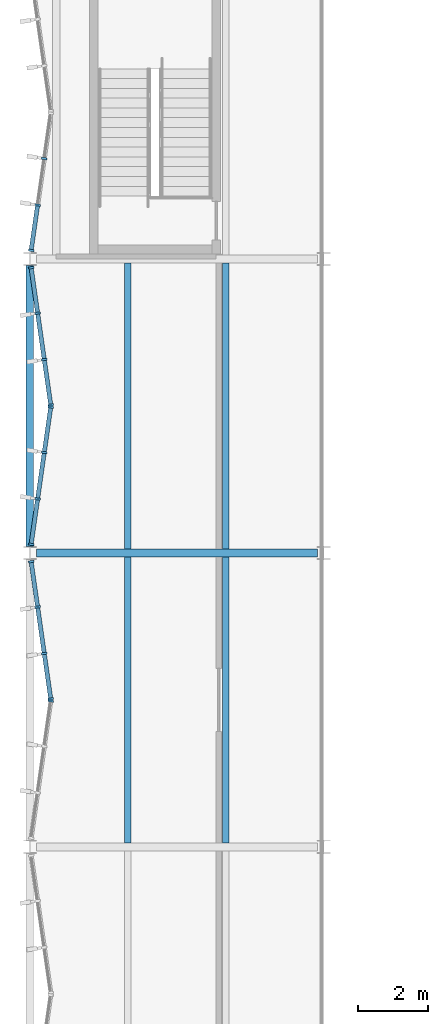
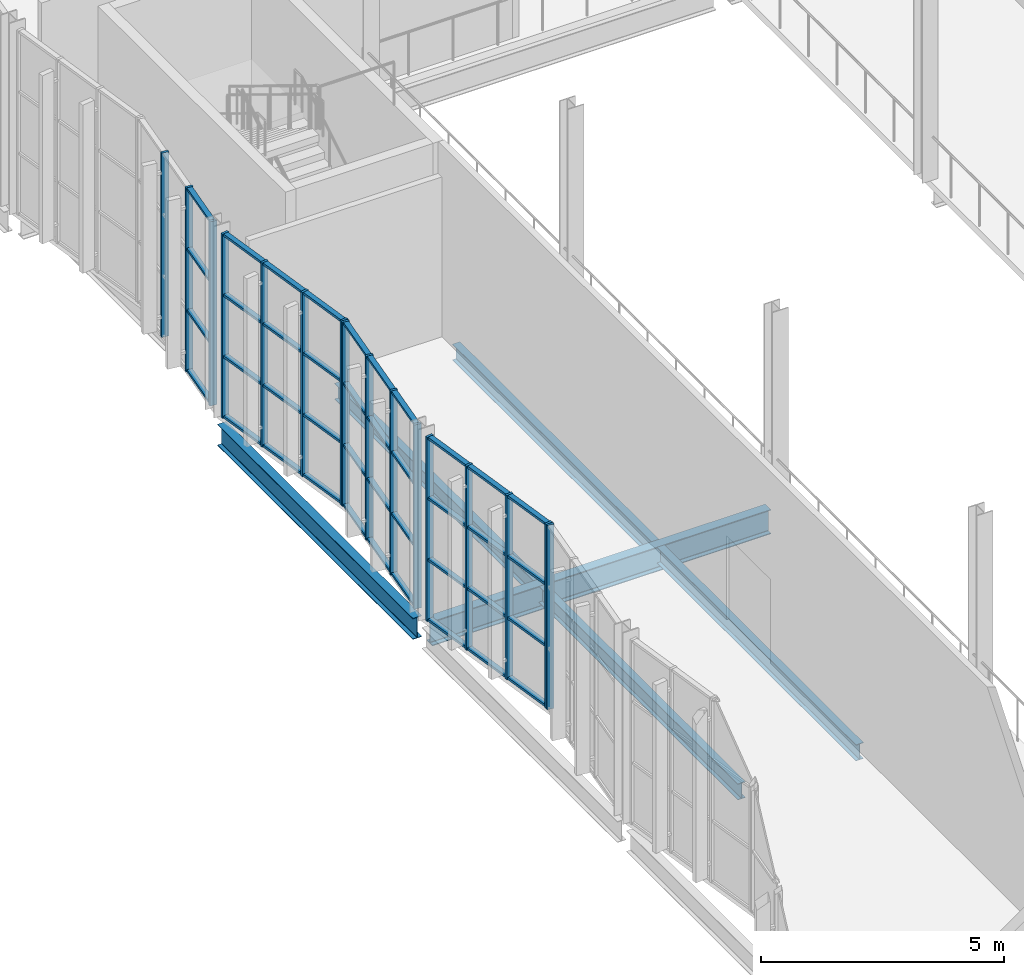
# One storey, part 32 of 127: 56 members, 6 beams, 5 elements without a shape of their own.
"""IFC4 building model written with IfcOpenShell, lengths in metres."""

from ifc_helpers import new_model, si_unit, direction, frame, origin, origin_2d, place, context, subcontext, project, spatial, rectangle, i_section, extrude, material, material_profile, profile_set, type_object, element, aggregate, save


model = new_model("IFC4")

# Units and contexts
model_context = context("Model", 3, precision=1e-05, world=origin(), true_north=direction((0.0, 1.0)))
body_context = subcontext(model_context, "Body", "Model", "MODEL_VIEW")
ifc_project = project(units=[si_unit("LENGTHUNIT", "METRE"), si_unit("AREAUNIT", "SQUARE_METRE"), si_unit("VOLUMEUNIT", "CUBIC_METRE"), si_unit("PLANEANGLEUNIT", "RADIAN"), si_unit("MASSUNIT", "GRAM", prefix="KILO")], contexts=[model_context])

# Site, building, storey
site_placement = place(None, origin())
site = spatial("IfcSite", under=ifc_project, at=site_placement, CompositionType="ELEMENT")
building_placement = place(site_placement, origin())
building = spatial("IfcBuilding", under=site, at=building_placement, Name="Ljudholm Concert House", CompositionType="ELEMENT")
storey_placement = place(building_placement, frame((0.0, 0.0, 5.39990234375)))
storey = spatial("IfcBuildingStorey", under=building, at=storey_placement, Name="L01", CompositionType="ELEMENT", Elevation=5.39990234375)

# Curtain wall, member
ifc_material_1 = material(Name="Aluminium curtain wall with impact-rated laminated glass", Category="aluminium")
curtain_wall_type = type_object("IfcCurtainWallType", Name="CURTAIN WALL 1400", PredefinedType="NOTDEFINED", material=ifc_material_1)
curtain_wall_1_placement = place(storey_placement, origin())
curtain_wall_1 = element("IfcCurtainWall", 1, at=curtain_wall_1_placement, inside=storey, type_object=curtain_wall_type, Name="Facade curtain wall", PredefinedType="NOTDEFINED")
ifc_material_2 = material(Name="Aluminium extrusion", Category="aluminium")
ifc_material_profile_1 = material_profile(ifc_material_2, rectangle(XDim=0.159912109375, YDim=0.06005859375, at=origin_2d()), Name="MULLION 60x160")
ifc_profile_set_1 = profile_set([ifc_material_profile_1], Name="Aluminium extrusion")
member_type_1 = type_object("IfcMemberType", Name="MULLION 60x160", PredefinedType="MULLION", material=ifc_profile_set_1)
member_1_placement = place(storey_placement, frame((4.595703125, 83.770263671875, 0.0), z_axis=(0.0, 0.0, 1.0), x_axis=(-0.989949493647, 0.141421356338, 0.0)))
member_1 = element("IfcMember", 2, at=member_1_placement, type_object=member_type_1, Name="Mullion", PredefinedType="MULLION", context=body_context, shape_type="SweptSolid", body=[
    extrude(rectangle(XDim=0.159912109375, YDim=0.06005859375, at=origin_2d()), origin(), (0.0, 0.0, 1.0), 4.6201171875),
])
aggregate(curtain_wall_1, [member_1])

# Curtain wall, members
curtain_wall_2_placement = place(storey_placement, origin())
curtain_wall_2 = element("IfcCurtainWall", 3, at=curtain_wall_2_placement, inside=storey, type_object=curtain_wall_type, Name="Facade curtain wall", PredefinedType="NOTDEFINED")
member_2_placement = place(storey_placement, frame((4.595703125, 83.82958984375, 0.0), z_axis=(0.0, 0.0, 1.0), x_axis=(-0.989949493647, -0.141421356338, 0.0)))
member_2 = element("IfcMember", 4, at=member_2_placement, type_object=member_type_1, Name="Mullion", PredefinedType="MULLION", context=body_context, shape_type="SweptSolid", body=[
    extrude(rectangle(XDim=0.159912109375, YDim=0.06005859375, at=origin_2d()), origin(), (0.0, 0.0, 1.0), 4.6201171875),
])
member_3_placement = place(storey_placement, frame((4.410400390625, 85.12744140625, 0.0), z_axis=(0.0, 0.0, 1.0), x_axis=(-0.989949493647, -0.141421356338, 0.0)))
member_3 = element("IfcMember", 5, at=member_3_placement, type_object=member_type_1, Name="Mullion", PredefinedType="MULLION", context=body_context, shape_type="SweptSolid", body=[
    extrude(rectangle(XDim=0.159912109375, YDim=0.06005859375, at=origin_2d()), origin(), (0.0, 0.0, 1.0), 4.6201171875),
])
member_4_placement = place(storey_placement, frame((4.220703125, 86.454833984375, 0.0), z_axis=(0.0, 0.0, 1.0), x_axis=(-0.989949493647, -0.141421356338, 0.0)))
member_4 = element("IfcMember", 6, at=member_4_placement, type_object=member_type_1, Name="Mullion", PredefinedType="MULLION", context=body_context, shape_type="SweptSolid", body=[
    extrude(rectangle(XDim=0.159912109375, YDim=0.06005859375, at=origin_2d()), origin(), (0.0, 0.0, 1.0), 4.6201171875),
])
member_5_placement = place(storey_placement, frame((4.035400390625, 87.75244140625, 0.0), z_axis=(0.0, 0.0, 1.0), x_axis=(-0.989949493647, -0.141421356338, 0.0)))
member_5 = element("IfcMember", 7, at=member_5_placement, type_object=member_type_1, Name="Mullion", PredefinedType="MULLION", context=body_context, shape_type="SweptSolid", body=[
    extrude(rectangle(XDim=0.159912109375, YDim=0.06005859375, at=origin_2d()), origin(), (0.0, 0.0, 1.0), 4.6201171875),
])

curtain_wall_3_placement = place(storey_placement, origin())
curtain_wall_3 = element("IfcCurtainWall", 8, at=curtain_wall_3_placement, inside=storey, type_object=curtain_wall_type, Name="Facade curtain wall", PredefinedType="NOTDEFINED")
member_6_placement = place(storey_placement, frame((4.035400390625, 88.24755859375, 0.0), z_axis=(0.0, 0.0, 1.0), x_axis=(-0.989949493647, 0.141421356338, 0.0)))
member_6 = element("IfcMember", 9, at=member_6_placement, type_object=member_type_1, Name="Mullion", PredefinedType="MULLION", context=body_context, shape_type="SweptSolid", body=[
    extrude(rectangle(XDim=0.159912109375, YDim=0.06005859375, at=origin_2d()), origin(), (0.0, 0.0, 1.0), 4.6201171875),
])
member_7_placement = place(storey_placement, frame((4.220703125, 89.545166015625, 0.0), z_axis=(0.0, 0.0, 1.0), x_axis=(-0.989949493647, 0.141421356338, 0.0)))
member_7 = element("IfcMember", 10, at=member_7_placement, type_object=member_type_1, Name="Mullion", PredefinedType="MULLION", context=body_context, shape_type="SweptSolid", body=[
    extrude(rectangle(XDim=0.159912109375, YDim=0.06005859375, at=origin_2d()), origin(), (0.0, 0.0, 1.0), 4.6201171875),
])
member_8_placement = place(storey_placement, frame((4.410400390625, 90.87255859375, 0.0), z_axis=(0.0, 0.0, 1.0), x_axis=(-0.989949493647, 0.141421356338, 0.0)))
member_8 = element("IfcMember", 11, at=member_8_placement, type_object=member_type_1, Name="Mullion", PredefinedType="MULLION", context=body_context, shape_type="SweptSolid", body=[
    extrude(rectangle(XDim=0.159912109375, YDim=0.06005859375, at=origin_2d()), origin(), (0.0, 0.0, 1.0), 4.6201171875),
])
member_9_placement = place(storey_placement, frame((4.595703125, 92.17041015625, 0.0), z_axis=(0.0, 0.0, 1.0), x_axis=(-0.989949493647, 0.141421356338, 0.0)))
member_9 = element("IfcMember", 12, at=member_9_placement, type_object=member_type_1, Name="Mullion", PredefinedType="MULLION", context=body_context, shape_type="SweptSolid", body=[
    extrude(rectangle(XDim=0.159912109375, YDim=0.06005859375, at=origin_2d()), origin(), (0.0, 0.0, 1.0), 4.6201171875),
])

curtain_wall_4_placement = place(storey_placement, origin())
curtain_wall_4 = element("IfcCurtainWall", 13, at=curtain_wall_4_placement, inside=storey, type_object=curtain_wall_type, Name="Facade curtain wall", PredefinedType="NOTDEFINED")
member_10_placement = place(storey_placement, frame((4.595703125, 92.229736328125, 0.0), z_axis=(0.0, 0.0, 1.0), x_axis=(-0.989949493647, -0.141421356338, 0.0)))
member_10 = element("IfcMember", 14, at=member_10_placement, type_object=member_type_1, Name="Mullion", PredefinedType="MULLION", context=body_context, shape_type="SweptSolid", body=[
    extrude(rectangle(XDim=0.159912109375, YDim=0.06005859375, at=origin_2d()), origin(), (0.0, 0.0, 1.0), 4.6201171875),
])
member_11_placement = place(storey_placement, frame((4.410400390625, 93.52734375, 0.0), z_axis=(0.0, 0.0, 1.0), x_axis=(-0.989949493647, -0.141421356338, 0.0)))
member_11 = element("IfcMember", 15, at=member_11_placement, type_object=member_type_1, Name="Mullion", PredefinedType="MULLION", context=body_context, shape_type="SweptSolid", body=[
    extrude(rectangle(XDim=0.159912109375, YDim=0.06005859375, at=origin_2d()), origin(), (0.0, 0.0, 1.0), 4.6201171875),
])
member_12_placement = place(storey_placement, frame((4.220703125, 94.854736328125, 0.0), z_axis=(0.0, 0.0, 1.0), x_axis=(-0.989949493647, -0.141421356338, 0.0)))
member_12 = element("IfcMember", 16, at=member_12_placement, type_object=member_type_1, Name="Mullion", PredefinedType="MULLION", context=body_context, shape_type="SweptSolid", body=[
    extrude(rectangle(XDim=0.159912109375, YDim=0.06005859375, at=origin_2d()), origin(), (0.0, 0.0, 1.0), 4.6201171875),
])
member_13_placement = place(storey_placement, frame((4.035400390625, 96.152587890625, 0.0), z_axis=(0.0, 0.0, 1.0), x_axis=(-0.989949493647, -0.141421356338, 0.0)))
member_13 = element("IfcMember", 17, at=member_13_placement, type_object=member_type_1, Name="Mullion", PredefinedType="MULLION", context=body_context, shape_type="SweptSolid", body=[
    extrude(rectangle(XDim=0.159912109375, YDim=0.06005859375, at=origin_2d()), origin(), (0.0, 0.0, 1.0), 4.6201171875),
])

curtain_wall_5_placement = place(storey_placement, origin())
curtain_wall_5 = element("IfcCurtainWall", 18, at=curtain_wall_5_placement, inside=storey, type_object=curtain_wall_type, Name="Facade curtain wall", PredefinedType="NOTDEFINED")
member_14_placement = place(storey_placement, frame((4.035400390625, 96.6474609375, 0.0), z_axis=(0.0, 0.0, 1.0), x_axis=(-0.989949493647, 0.141421356338, 0.0)))
member_14 = element("IfcMember", 19, at=member_14_placement, type_object=member_type_1, Name="Mullion", PredefinedType="MULLION", context=body_context, shape_type="SweptSolid", body=[
    extrude(rectangle(XDim=0.159912109375, YDim=0.06005859375, at=origin_2d()), origin(), (0.0, 0.0, 1.0), 4.6201171875),
])
member_15_placement = place(storey_placement, frame((4.220703125, 97.9453125, 0.0), z_axis=(0.0, 0.0, 1.0), x_axis=(-0.989949493647, 0.141421356338, 0.0)))
member_15 = element("IfcMember", 20, at=member_15_placement, type_object=member_type_1, Name="Mullion", PredefinedType="MULLION", context=body_context, shape_type="SweptSolid", body=[
    extrude(rectangle(XDim=0.159912109375, YDim=0.06005859375, at=origin_2d()), origin(), (0.0, 0.0, 1.0), 4.6201171875),
])
member_16_placement = place(storey_placement, frame((4.410400390625, 99.272705078125, 0.0), z_axis=(0.0, 0.0, 1.0), x_axis=(-0.989949493647, 0.141421356338, 0.0)))
member_16 = element("IfcMember", 21, at=member_16_placement, type_object=member_type_1, Name="Mullion", PredefinedType="MULLION", context=body_context, shape_type="SweptSolid", body=[
    extrude(rectangle(XDim=0.159912109375, YDim=0.06005859375, at=origin_2d()), origin(), (0.0, 0.0, 1.0), 4.6201171875),
])

# Beams
ifc_material_3 = material(Name="Steel ASTM A992", Category="steel")
ifc_material_profile_2 = material_profile(ifc_material_3, i_section(OverallWidth=0.177734375, OverallDepth=0.406494140625, WebThickness=0.0078125, FlangeThickness=0.012939453125, FilletRadius=0.01025390625, at=origin_2d()), Name="W16X40")
ifc_profile_set_2 = profile_set([ifc_material_profile_2], Name="Steel ASTM A992")
beam_type_1 = type_object("IfcBeamType", Name="STEEL BEAM W16X40", PredefinedType="BEAM", material=ifc_profile_set_2)
for number, where, z_axis, x_axis, name in (
    (22, (6.800048828125, 79.714599609375, -0.383056640625), (0.0, 1.0, 0.0), (-1.0, 0.0, 0.0), "Secondary beam"),
    (23, (6.800048828125, 88.114501953125, -0.383056640625), (0.0, 1.0, 0.0), (-1.0, 0.0, 0.0), "Secondary beam"),
    (24, (9.60009765625, 79.714599609375, -0.383056640625), (0.0, 1.0, 0.0), (-1.0, 0.0, 0.0), "Secondary beam"),
    (25, (9.60009765625, 88.114501953125, -0.383056640625), (0.0, 1.0, 0.0), (-1.0, 0.0, 0.0), "Secondary beam"),
):
    element("IfcBeam", number, at=place(storey_placement, frame(where, z_axis=z_axis, x_axis=x_axis)), inside=storey, type_object=beam_type_1, Name=name, PredefinedType="BEAM", context=body_context, shape_type="SweptSolid", body=[
        extrude(i_section(OverallWidth=0.177734375, OverallDepth=0.406494140625, WebThickness=0.0078125, FlangeThickness=0.012939453125, FilletRadius=0.01025390625, at=origin_2d()), origin(), (0.0, 0.0, 1.0), 8.1708984375),
    ])
ifc_material_4 = material(Name="Steel ASTM A992", Category="steel")
ifc_material_profile_3 = material_profile(ifc_material_4, i_section(OverallWidth=0.209228515625, OverallDepth=0.533447265625, WebThickness=0.01025390625, FlangeThickness=0.015625, FilletRadius=0.012939453125, at=origin_2d()), Name="W21X62")
ifc_profile_set_3 = profile_set([ifc_material_profile_3], Name="Steel ASTM A992")
beam_type_2 = type_object("IfcBeamType", Name="STEEL BEAM W21X62", PredefinedType="BEAM", material=ifc_profile_set_3)
beam_1_placement = place(storey_placement, frame((4.0, 88.186767578125, -0.446533203125), z_axis=(0.0, 1.0, 0.0), x_axis=(-1.0, 0.0, 0.0)))
element("IfcBeam", 26, at=beam_1_placement, inside=storey, type_object=beam_type_2, Name="Floor edge beam", PredefinedType="BEAM", context=body_context, shape_type="SweptSolid", body=[
    extrude(i_section(OverallWidth=0.209228515625, OverallDepth=0.533447265625, WebThickness=0.01025390625, FlangeThickness=0.015625, FilletRadius=0.012939453125, at=origin_2d()), origin(), (0.0, 0.0, 1.0), 8.026611328125),
])
ifc_material_5 = material(Name="Steel ASTM A992", Category="steel")
ifc_material_profile_4 = material_profile(ifc_material_5, i_section(OverallWidth=0.22900390625, OverallDepth=0.612060546875, WebThickness=0.011962890625, FlangeThickness=0.01953125, FilletRadius=0.0126953125, at=origin_2d()), Name="W24X84")
ifc_profile_set_4 = profile_set([ifc_material_profile_4], Name="Steel ASTM A992")
beam_type_3 = type_object("IfcBeamType", Name="STEEL BEAM W24X84", PredefinedType="BEAM", material=ifc_profile_set_4)
beam_2_placement = place(storey_placement, frame((4.186767578125, 88.0, -0.486083984375), z_axis=(1.0, 0.0, 0.0), x_axis=(0.0, 1.0, 0.0)))
element("IfcBeam", 27, at=beam_2_placement, inside=storey, type_object=beam_type_3, Name="Floor girder", PredefinedType="BEAM", context=body_context, shape_type="SweptSolid", body=[
    extrude(i_section(OverallWidth=0.22900390625, OverallDepth=0.612060546875, WebThickness=0.011962890625, FlangeThickness=0.01953125, FilletRadius=0.0126953125, at=origin_2d()), origin(), (0.0, 0.0, 1.0), 8.026611328125),
])

# Member
ifc_material_6 = material(Name="Aluminium extrusion", Category="aluminium")
ifc_material_profile_5 = material_profile(ifc_material_6, rectangle(XDim=0.1201171875, YDim=0.06005859375, at=origin_2d()), Name="TRANSOM 60x120")
ifc_profile_set_5 = profile_set([ifc_material_profile_5], Name="Aluminium extrusion")
member_type_2 = type_object("IfcMemberType", Name="TRANSOM 60x120", PredefinedType="USERDEFINED", material=ifc_profile_set_5)
member_17_placement = place(storey_placement, frame((4.591552734375, 83.859375, 0.030029296875), z_axis=(-0.141503330095, 0.989937779647, 0.0), x_axis=(-0.989937779647, -0.141503330095, 0.0)))
member_17 = element("IfcMember", 28, at=member_17_placement, type_object=member_type_2, Name="Transom", ObjectType="TRANSOM", PredefinedType="USERDEFINED", context=body_context, shape_type="SweptSolid", body=[
    extrude(rectangle(XDim=0.1201171875, YDim=0.06005859375, at=origin_2d()), origin(), (0.0, 0.0, 1.0), 1.2509765625),
])

member_18_placement = place(storey_placement, frame((4.591552734375, 83.859375, 1.5400390625), z_axis=(-0.141503330095, 0.989937779647, 0.0), x_axis=(-0.989937779647, -0.141503330095, 0.0)))
member_18 = element("IfcMember", 29, at=member_18_placement, type_object=member_type_2, Name="Transom", ObjectType="TRANSOM", PredefinedType="USERDEFINED", context=body_context, shape_type="SweptSolid", body=[
    extrude(rectangle(XDim=0.1201171875, YDim=0.06005859375, at=origin_2d()), origin(), (0.0, 0.0, 1.0), 1.2509765625),
])

member_19_placement = place(storey_placement, frame((4.591552734375, 83.859375, 3.080078125), z_axis=(-0.141503330095, 0.989937779647, 0.0), x_axis=(-0.989937779647, -0.141503330095, 0.0)))
member_19 = element("IfcMember", 30, at=member_19_placement, type_object=member_type_2, Name="Transom", ObjectType="TRANSOM", PredefinedType="USERDEFINED", context=body_context, shape_type="SweptSolid", body=[
    extrude(rectangle(XDim=0.1201171875, YDim=0.06005859375, at=origin_2d()), origin(), (0.0, 0.0, 1.0), 1.2509765625),
])

member_20_placement = place(storey_placement, frame((4.591552734375, 83.859375, 4.590087890625), z_axis=(-0.141503330095, 0.989937779647, 0.0), x_axis=(-0.989937779647, -0.141503330095, 0.0)))
member_20 = element("IfcMember", 31, at=member_20_placement, type_object=member_type_2, Name="Transom", ObjectType="TRANSOM", PredefinedType="USERDEFINED", context=body_context, shape_type="SweptSolid", body=[
    extrude(rectangle(XDim=0.1201171875, YDim=0.06005859375, at=origin_2d()), origin(), (0.0, 0.0, 1.0), 1.2509765625),
])

member_21_placement = place(storey_placement, frame((4.40625, 85.156982421875, 0.030029296875), z_axis=(-0.141421356237, 0.989949493661, 0.0), x_axis=(-0.989949493661, -0.141421356237, 0.0)))
member_21 = element("IfcMember", 32, at=member_21_placement, type_object=member_type_2, Name="Transom", ObjectType="TRANSOM", PredefinedType="USERDEFINED", context=body_context, shape_type="SweptSolid", body=[
    extrude(rectangle(XDim=0.1201171875, YDim=0.06005859375, at=origin_2d()), origin(), (0.0, 0.0, 1.0), 1.281005859375),
])

member_22_placement = place(storey_placement, frame((4.40625, 85.156982421875, 1.5400390625), z_axis=(-0.141421356237, 0.989949493661, 0.0), x_axis=(-0.989949493661, -0.141421356237, 0.0)))
member_22 = element("IfcMember", 33, at=member_22_placement, type_object=member_type_2, Name="Transom", ObjectType="TRANSOM", PredefinedType="USERDEFINED", context=body_context, shape_type="SweptSolid", body=[
    extrude(rectangle(XDim=0.1201171875, YDim=0.06005859375, at=origin_2d()), origin(), (0.0, 0.0, 1.0), 1.281005859375),
])

member_23_placement = place(storey_placement, frame((4.40625, 85.156982421875, 3.080078125), z_axis=(-0.141421356237, 0.989949493661, 0.0), x_axis=(-0.989949493661, -0.141421356237, 0.0)))
member_23 = element("IfcMember", 34, at=member_23_placement, type_object=member_type_2, Name="Transom", ObjectType="TRANSOM", PredefinedType="USERDEFINED", context=body_context, shape_type="SweptSolid", body=[
    extrude(rectangle(XDim=0.1201171875, YDim=0.06005859375, at=origin_2d()), origin(), (0.0, 0.0, 1.0), 1.281005859375),
])

member_24_placement = place(storey_placement, frame((4.40625, 85.156982421875, 4.590087890625), z_axis=(-0.141421356237, 0.989949493661, 0.0), x_axis=(-0.989949493661, -0.141421356237, 0.0)))
member_24 = element("IfcMember", 35, at=member_24_placement, type_object=member_type_2, Name="Transom", ObjectType="TRANSOM", PredefinedType="USERDEFINED", context=body_context, shape_type="SweptSolid", body=[
    extrude(rectangle(XDim=0.1201171875, YDim=0.06005859375, at=origin_2d()), origin(), (0.0, 0.0, 1.0), 1.281005859375),
])

member_25_placement = place(storey_placement, frame((4.216552734375, 86.484619140625, 0.030029296875), z_axis=(-0.141503330095, 0.989937779647, 0.0), x_axis=(-0.989937779647, -0.141503330095, 0.0)))
member_25 = element("IfcMember", 36, at=member_25_placement, type_object=member_type_2, Name="Transom", ObjectType="TRANSOM", PredefinedType="USERDEFINED", context=body_context, shape_type="SweptSolid", body=[
    extrude(rectangle(XDim=0.1201171875, YDim=0.06005859375, at=origin_2d()), origin(), (0.0, 0.0, 1.0), 1.2509765625),
])

member_26_placement = place(storey_placement, frame((4.216552734375, 86.484619140625, 1.5400390625), z_axis=(-0.141503330095, 0.989937779647, 0.0), x_axis=(-0.989937779647, -0.141503330095, 0.0)))
member_26 = element("IfcMember", 37, at=member_26_placement, type_object=member_type_2, Name="Transom", ObjectType="TRANSOM", PredefinedType="USERDEFINED", context=body_context, shape_type="SweptSolid", body=[
    extrude(rectangle(XDim=0.1201171875, YDim=0.06005859375, at=origin_2d()), origin(), (0.0, 0.0, 1.0), 1.2509765625),
])

member_27_placement = place(storey_placement, frame((4.216552734375, 86.484619140625, 3.080078125), z_axis=(-0.141503330095, 0.989937779647, 0.0), x_axis=(-0.989937779647, -0.141503330095, 0.0)))
member_27 = element("IfcMember", 38, at=member_27_placement, type_object=member_type_2, Name="Transom", ObjectType="TRANSOM", PredefinedType="USERDEFINED", context=body_context, shape_type="SweptSolid", body=[
    extrude(rectangle(XDim=0.1201171875, YDim=0.06005859375, at=origin_2d()), origin(), (0.0, 0.0, 1.0), 1.2509765625),
])

member_28_placement = place(storey_placement, frame((4.216552734375, 86.484619140625, 4.590087890625), z_axis=(-0.141503330095, 0.989937779647, 0.0), x_axis=(-0.989937779647, -0.141503330095, 0.0)))
member_28 = element("IfcMember", 39, at=member_28_placement, type_object=member_type_2, Name="Transom", ObjectType="TRANSOM", PredefinedType="USERDEFINED", context=body_context, shape_type="SweptSolid", body=[
    extrude(rectangle(XDim=0.1201171875, YDim=0.06005859375, at=origin_2d()), origin(), (0.0, 0.0, 1.0), 1.2509765625),
])

aggregate(curtain_wall_2, [member_2, member_3, member_4, member_5, member_17, member_18, member_19, member_20, member_21, member_22, member_23, member_24, member_25, member_26, member_27, member_28])

member_29_placement = place(storey_placement, frame((4.03955078125, 88.277099609375, 0.030029296875), z_axis=(0.141503330095, 0.989937779647, 0.0), x_axis=(-0.989937779647, 0.141503330095, 0.0)))
member_29 = element("IfcMember", 40, at=member_29_placement, type_object=member_type_2, Name="Transom", ObjectType="TRANSOM", PredefinedType="USERDEFINED", context=body_context, shape_type="SweptSolid", body=[
    extrude(rectangle(XDim=0.1201171875, YDim=0.06005859375, at=origin_2d()), origin(), (0.0, 0.0, 1.0), 1.2509765625),
])

member_30_placement = place(storey_placement, frame((4.03955078125, 88.277099609375, 1.5400390625), z_axis=(0.141503330095, 0.989937779647, 0.0), x_axis=(-0.989937779647, 0.141503330095, 0.0)))
member_30 = element("IfcMember", 41, at=member_30_placement, type_object=member_type_2, Name="Transom", ObjectType="TRANSOM", PredefinedType="USERDEFINED", context=body_context, shape_type="SweptSolid", body=[
    extrude(rectangle(XDim=0.1201171875, YDim=0.06005859375, at=origin_2d()), origin(), (0.0, 0.0, 1.0), 1.2509765625),
])

member_31_placement = place(storey_placement, frame((4.03955078125, 88.277099609375, 3.080078125), z_axis=(0.141503330095, 0.989937779647, 0.0), x_axis=(-0.989937779647, 0.141503330095, 0.0)))
member_31 = element("IfcMember", 42, at=member_31_placement, type_object=member_type_2, Name="Transom", ObjectType="TRANSOM", PredefinedType="USERDEFINED", context=body_context, shape_type="SweptSolid", body=[
    extrude(rectangle(XDim=0.1201171875, YDim=0.06005859375, at=origin_2d()), origin(), (0.0, 0.0, 1.0), 1.2509765625),
])

member_32_placement = place(storey_placement, frame((4.03955078125, 88.277099609375, 4.590087890625), z_axis=(0.141503330095, 0.989937779647, 0.0), x_axis=(-0.989937779647, 0.141503330095, 0.0)))
member_32 = element("IfcMember", 43, at=member_32_placement, type_object=member_type_2, Name="Transom", ObjectType="TRANSOM", PredefinedType="USERDEFINED", context=body_context, shape_type="SweptSolid", body=[
    extrude(rectangle(XDim=0.1201171875, YDim=0.06005859375, at=origin_2d()), origin(), (0.0, 0.0, 1.0), 1.2509765625),
])

member_33_placement = place(storey_placement, frame((4.22509765625, 89.574951171875, 0.030029296875), z_axis=(0.141421356237, 0.989949493661, 0.0), x_axis=(-0.989949493661, 0.141421356237, 0.0)))
member_33 = element("IfcMember", 44, at=member_33_placement, type_object=member_type_2, Name="Transom", ObjectType="TRANSOM", PredefinedType="USERDEFINED", context=body_context, shape_type="SweptSolid", body=[
    extrude(rectangle(XDim=0.1201171875, YDim=0.06005859375, at=origin_2d()), origin(), (0.0, 0.0, 1.0), 1.281005859375),
])

member_34_placement = place(storey_placement, frame((4.22509765625, 89.574951171875, 1.5400390625), z_axis=(0.141421356237, 0.989949493661, 0.0), x_axis=(-0.989949493661, 0.141421356237, 0.0)))
member_34 = element("IfcMember", 45, at=member_34_placement, type_object=member_type_2, Name="Transom", ObjectType="TRANSOM", PredefinedType="USERDEFINED", context=body_context, shape_type="SweptSolid", body=[
    extrude(rectangle(XDim=0.1201171875, YDim=0.06005859375, at=origin_2d()), origin(), (0.0, 0.0, 1.0), 1.281005859375),
])

member_35_placement = place(storey_placement, frame((4.22509765625, 89.574951171875, 3.080078125), z_axis=(0.141421356237, 0.989949493661, 0.0), x_axis=(-0.989949493661, 0.141421356237, 0.0)))
member_35 = element("IfcMember", 46, at=member_35_placement, type_object=member_type_2, Name="Transom", ObjectType="TRANSOM", PredefinedType="USERDEFINED", context=body_context, shape_type="SweptSolid", body=[
    extrude(rectangle(XDim=0.1201171875, YDim=0.06005859375, at=origin_2d()), origin(), (0.0, 0.0, 1.0), 1.281005859375),
])

member_36_placement = place(storey_placement, frame((4.22509765625, 89.574951171875, 4.590087890625), z_axis=(0.141421356237, 0.989949493661, 0.0), x_axis=(-0.989949493661, 0.141421356237, 0.0)))
member_36 = element("IfcMember", 47, at=member_36_placement, type_object=member_type_2, Name="Transom", ObjectType="TRANSOM", PredefinedType="USERDEFINED", context=body_context, shape_type="SweptSolid", body=[
    extrude(rectangle(XDim=0.1201171875, YDim=0.06005859375, at=origin_2d()), origin(), (0.0, 0.0, 1.0), 1.281005859375),
])

member_37_placement = place(storey_placement, frame((4.41455078125, 90.90234375, 0.030029296875), z_axis=(0.141503330095, 0.989937779647, 0.0), x_axis=(-0.989937779647, 0.141503330095, 0.0)))
member_37 = element("IfcMember", 48, at=member_37_placement, type_object=member_type_2, Name="Transom", ObjectType="TRANSOM", PredefinedType="USERDEFINED", context=body_context, shape_type="SweptSolid", body=[
    extrude(rectangle(XDim=0.1201171875, YDim=0.06005859375, at=origin_2d()), origin(), (0.0, 0.0, 1.0), 1.2509765625),
])

member_38_placement = place(storey_placement, frame((4.41455078125, 90.90234375, 1.5400390625), z_axis=(0.141503330095, 0.989937779647, 0.0), x_axis=(-0.989937779647, 0.141503330095, 0.0)))
member_38 = element("IfcMember", 49, at=member_38_placement, type_object=member_type_2, Name="Transom", ObjectType="TRANSOM", PredefinedType="USERDEFINED", context=body_context, shape_type="SweptSolid", body=[
    extrude(rectangle(XDim=0.1201171875, YDim=0.06005859375, at=origin_2d()), origin(), (0.0, 0.0, 1.0), 1.2509765625),
])

member_39_placement = place(storey_placement, frame((4.41455078125, 90.90234375, 3.080078125), z_axis=(0.141503330095, 0.989937779647, 0.0), x_axis=(-0.989937779647, 0.141503330095, 0.0)))
member_39 = element("IfcMember", 50, at=member_39_placement, type_object=member_type_2, Name="Transom", ObjectType="TRANSOM", PredefinedType="USERDEFINED", context=body_context, shape_type="SweptSolid", body=[
    extrude(rectangle(XDim=0.1201171875, YDim=0.06005859375, at=origin_2d()), origin(), (0.0, 0.0, 1.0), 1.2509765625),
])

member_40_placement = place(storey_placement, frame((4.41455078125, 90.90234375, 4.590087890625), z_axis=(0.141503330095, 0.989937779647, 0.0), x_axis=(-0.989937779647, 0.141503330095, 0.0)))
member_40 = element("IfcMember", 51, at=member_40_placement, type_object=member_type_2, Name="Transom", ObjectType="TRANSOM", PredefinedType="USERDEFINED", context=body_context, shape_type="SweptSolid", body=[
    extrude(rectangle(XDim=0.1201171875, YDim=0.06005859375, at=origin_2d()), origin(), (0.0, 0.0, 1.0), 1.2509765625),
])

aggregate(curtain_wall_3, [member_6, member_7, member_8, member_9, member_29, member_30, member_31, member_32, member_33, member_34, member_35, member_36, member_37, member_38, member_39, member_40])

member_41_placement = place(storey_placement, frame((4.591552734375, 92.25927734375, 0.030029296875), z_axis=(-0.141475995027, 0.989941686581, 0.0), x_axis=(-0.989941686581, -0.141475995027, 0.0)))
member_41 = element("IfcMember", 52, at=member_41_placement, type_object=member_type_2, Name="Transom", ObjectType="TRANSOM", PredefinedType="USERDEFINED", context=body_context, shape_type="SweptSolid", body=[
    extrude(rectangle(XDim=0.1201171875, YDim=0.06005859375, at=origin_2d()), origin(), (0.0, 0.0, 1.0), 1.251220703125),
])

member_42_placement = place(storey_placement, frame((4.591552734375, 92.25927734375, 1.5400390625), z_axis=(-0.141475995027, 0.989941686581, 0.0), x_axis=(-0.989941686581, -0.141475995027, 0.0)))
member_42 = element("IfcMember", 53, at=member_42_placement, type_object=member_type_2, Name="Transom", ObjectType="TRANSOM", PredefinedType="USERDEFINED", context=body_context, shape_type="SweptSolid", body=[
    extrude(rectangle(XDim=0.1201171875, YDim=0.06005859375, at=origin_2d()), origin(), (0.0, 0.0, 1.0), 1.251220703125),
])

member_43_placement = place(storey_placement, frame((4.591552734375, 92.25927734375, 3.080078125), z_axis=(-0.141475995027, 0.989941686581, 0.0), x_axis=(-0.989941686581, -0.141475995027, 0.0)))
member_43 = element("IfcMember", 54, at=member_43_placement, type_object=member_type_2, Name="Transom", ObjectType="TRANSOM", PredefinedType="USERDEFINED", context=body_context, shape_type="SweptSolid", body=[
    extrude(rectangle(XDim=0.1201171875, YDim=0.06005859375, at=origin_2d()), origin(), (0.0, 0.0, 1.0), 1.251220703125),
])

member_44_placement = place(storey_placement, frame((4.591552734375, 92.25927734375, 4.590087890625), z_axis=(-0.141475995027, 0.989941686581, 0.0), x_axis=(-0.989941686581, -0.141475995027, 0.0)))
member_44 = element("IfcMember", 55, at=member_44_placement, type_object=member_type_2, Name="Transom", ObjectType="TRANSOM", PredefinedType="USERDEFINED", context=body_context, shape_type="SweptSolid", body=[
    extrude(rectangle(XDim=0.1201171875, YDim=0.06005859375, at=origin_2d()), origin(), (0.0, 0.0, 1.0), 1.251220703125),
])

member_45_placement = place(storey_placement, frame((4.40625, 93.55712890625, 0.030029296875), z_axis=(-0.141421356237, 0.989949493661, 0.0), x_axis=(-0.989949493661, -0.141421356237, 0.0)))
member_45 = element("IfcMember", 56, at=member_45_placement, type_object=member_type_2, Name="Transom", ObjectType="TRANSOM", PredefinedType="USERDEFINED", context=body_context, shape_type="SweptSolid", body=[
    extrude(rectangle(XDim=0.1201171875, YDim=0.06005859375, at=origin_2d()), origin(), (0.0, 0.0, 1.0), 1.281005859375),
])

member_46_placement = place(storey_placement, frame((4.40625, 93.55712890625, 1.5400390625), z_axis=(-0.141421356237, 0.989949493661, 0.0), x_axis=(-0.989949493661, -0.141421356237, 0.0)))
member_46 = element("IfcMember", 57, at=member_46_placement, type_object=member_type_2, Name="Transom", ObjectType="TRANSOM", PredefinedType="USERDEFINED", context=body_context, shape_type="SweptSolid", body=[
    extrude(rectangle(XDim=0.1201171875, YDim=0.06005859375, at=origin_2d()), origin(), (0.0, 0.0, 1.0), 1.281005859375),
])

member_47_placement = place(storey_placement, frame((4.40625, 93.55712890625, 3.080078125), z_axis=(-0.141421356237, 0.989949493661, 0.0), x_axis=(-0.989949493661, -0.141421356237, 0.0)))
member_47 = element("IfcMember", 58, at=member_47_placement, type_object=member_type_2, Name="Transom", ObjectType="TRANSOM", PredefinedType="USERDEFINED", context=body_context, shape_type="SweptSolid", body=[
    extrude(rectangle(XDim=0.1201171875, YDim=0.06005859375, at=origin_2d()), origin(), (0.0, 0.0, 1.0), 1.281005859375),
])

member_48_placement = place(storey_placement, frame((4.40625, 93.55712890625, 4.590087890625), z_axis=(-0.141421356237, 0.989949493661, 0.0), x_axis=(-0.989949493661, -0.141421356237, 0.0)))
member_48 = element("IfcMember", 59, at=member_48_placement, type_object=member_type_2, Name="Transom", ObjectType="TRANSOM", PredefinedType="USERDEFINED", context=body_context, shape_type="SweptSolid", body=[
    extrude(rectangle(XDim=0.1201171875, YDim=0.06005859375, at=origin_2d()), origin(), (0.0, 0.0, 1.0), 1.281005859375),
])

member_49_placement = place(storey_placement, frame((4.216552734375, 94.884521484375, 0.030029296875), z_axis=(-0.141503330095, 0.989937779647, 0.0), x_axis=(-0.989937779647, -0.141503330095, 0.0)))
member_49 = element("IfcMember", 60, at=member_49_placement, type_object=member_type_2, Name="Transom", ObjectType="TRANSOM", PredefinedType="USERDEFINED", context=body_context, shape_type="SweptSolid", body=[
    extrude(rectangle(XDim=0.1201171875, YDim=0.06005859375, at=origin_2d()), origin(), (0.0, 0.0, 1.0), 1.2509765625),
])

member_50_placement = place(storey_placement, frame((4.216552734375, 94.884521484375, 1.5400390625), z_axis=(-0.141503330095, 0.989937779647, 0.0), x_axis=(-0.989937779647, -0.141503330095, 0.0)))
member_50 = element("IfcMember", 61, at=member_50_placement, type_object=member_type_2, Name="Transom", ObjectType="TRANSOM", PredefinedType="USERDEFINED", context=body_context, shape_type="SweptSolid", body=[
    extrude(rectangle(XDim=0.1201171875, YDim=0.06005859375, at=origin_2d()), origin(), (0.0, 0.0, 1.0), 1.2509765625),
])

member_51_placement = place(storey_placement, frame((4.216552734375, 94.884521484375, 3.080078125), z_axis=(-0.141503330095, 0.989937779647, 0.0), x_axis=(-0.989937779647, -0.141503330095, 0.0)))
member_51 = element("IfcMember", 62, at=member_51_placement, type_object=member_type_2, Name="Transom", ObjectType="TRANSOM", PredefinedType="USERDEFINED", context=body_context, shape_type="SweptSolid", body=[
    extrude(rectangle(XDim=0.1201171875, YDim=0.06005859375, at=origin_2d()), origin(), (0.0, 0.0, 1.0), 1.2509765625),
])

member_52_placement = place(storey_placement, frame((4.216552734375, 94.884521484375, 4.590087890625), z_axis=(-0.141503330095, 0.989937779647, 0.0), x_axis=(-0.989937779647, -0.141503330095, 0.0)))
member_52 = element("IfcMember", 63, at=member_52_placement, type_object=member_type_2, Name="Transom", ObjectType="TRANSOM", PredefinedType="USERDEFINED", context=body_context, shape_type="SweptSolid", body=[
    extrude(rectangle(XDim=0.1201171875, YDim=0.06005859375, at=origin_2d()), origin(), (0.0, 0.0, 1.0), 1.2509765625),
])

aggregate(curtain_wall_4, [member_10, member_11, member_12, member_13, member_41, member_42, member_43, member_44, member_45, member_46, member_47, member_48, member_49, member_50, member_51, member_52])

member_53_placement = place(storey_placement, frame((4.03955078125, 96.67724609375, 0.030029296875), z_axis=(0.141503330095, 0.989937779647, 0.0), x_axis=(-0.989937779647, 0.141503330095, 0.0)))
member_53 = element("IfcMember", 64, at=member_53_placement, type_object=member_type_2, Name="Transom", ObjectType="TRANSOM", PredefinedType="USERDEFINED", context=body_context, shape_type="SweptSolid", body=[
    extrude(rectangle(XDim=0.1201171875, YDim=0.06005859375, at=origin_2d()), origin(), (0.0, 0.0, 1.0), 1.2509765625),
])

member_54_placement = place(storey_placement, frame((4.03955078125, 96.67724609375, 1.5400390625), z_axis=(0.141503330095, 0.989937779647, 0.0), x_axis=(-0.989937779647, 0.141503330095, 0.0)))
member_54 = element("IfcMember", 65, at=member_54_placement, type_object=member_type_2, Name="Transom", ObjectType="TRANSOM", PredefinedType="USERDEFINED", context=body_context, shape_type="SweptSolid", body=[
    extrude(rectangle(XDim=0.1201171875, YDim=0.06005859375, at=origin_2d()), origin(), (0.0, 0.0, 1.0), 1.2509765625),
])

member_55_placement = place(storey_placement, frame((4.03955078125, 96.67724609375, 3.080078125), z_axis=(0.141503330095, 0.989937779647, 0.0), x_axis=(-0.989937779647, 0.141503330095, 0.0)))
member_55 = element("IfcMember", 66, at=member_55_placement, type_object=member_type_2, Name="Transom", ObjectType="TRANSOM", PredefinedType="USERDEFINED", context=body_context, shape_type="SweptSolid", body=[
    extrude(rectangle(XDim=0.1201171875, YDim=0.06005859375, at=origin_2d()), origin(), (0.0, 0.0, 1.0), 1.2509765625),
])

member_56_placement = place(storey_placement, frame((4.03955078125, 96.67724609375, 4.590087890625), z_axis=(0.141503330095, 0.989937779647, 0.0), x_axis=(-0.989937779647, 0.141503330095, 0.0)))
member_56 = element("IfcMember", 67, at=member_56_placement, type_object=member_type_2, Name="Transom", ObjectType="TRANSOM", PredefinedType="USERDEFINED", context=body_context, shape_type="SweptSolid", body=[
    extrude(rectangle(XDim=0.1201171875, YDim=0.06005859375, at=origin_2d()), origin(), (0.0, 0.0, 1.0), 1.2509765625),
])

aggregate(curtain_wall_5, [member_14, member_15, member_16, member_53, member_54, member_55, member_56])

save(model, "model.ifc")
